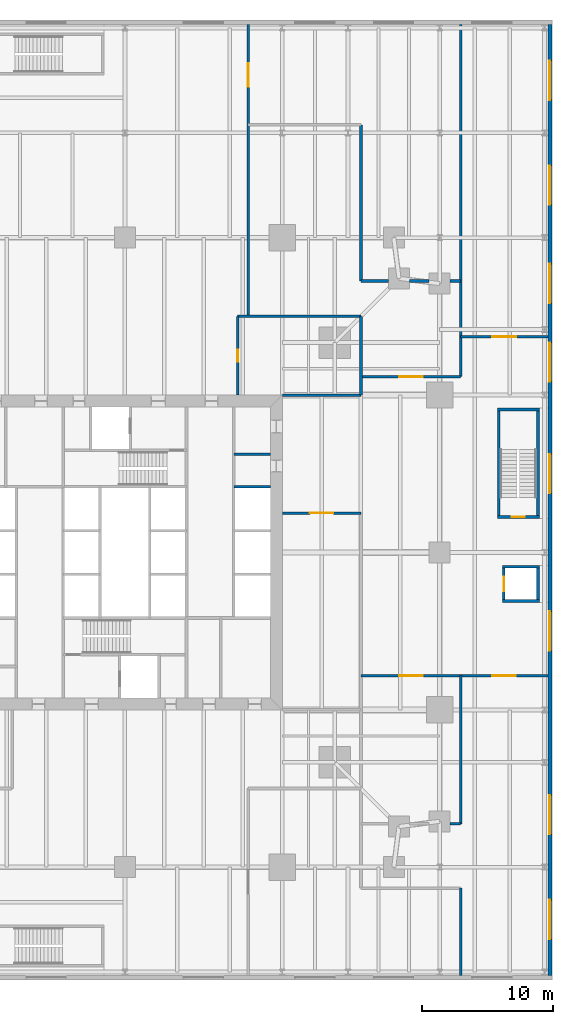
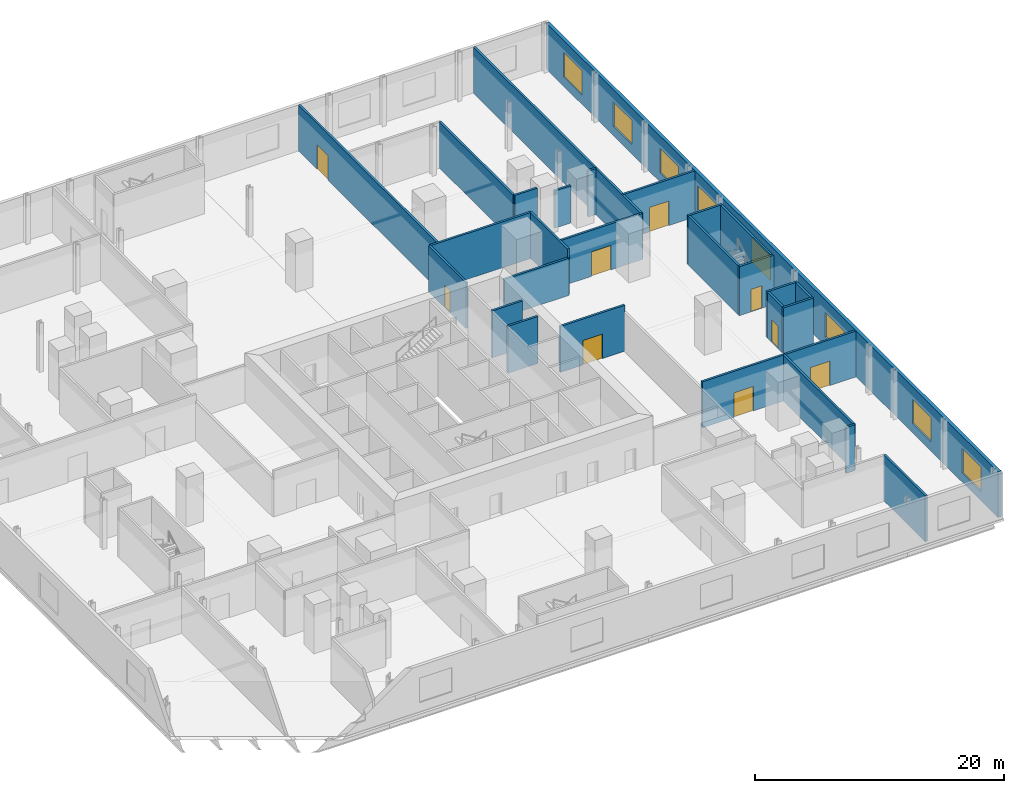
# One storey, part 12 of 16: 28 walls, 9 doors, 8 windows, 17 openings.
"""IFC4 building model written with IfcOpenShell, lengths in metres."""

from ifc_helpers import new_model, si_unit, direction, frame, frame_2d, origin, place, context, subcontext, project, spatial, rectangle, extrude, material, layer, layer_set, type_object, element, fill, save


model = new_model("IFC4")

# Units and contexts
model_context = context("Model", 3, precision=1e-05, world=origin(), true_north=direction((0.0, 1.0)))
body_context = subcontext(model_context, "Body", "Model", "MODEL_VIEW")
ifc_project = project(units=[si_unit("LENGTHUNIT", "METRE"), si_unit("AREAUNIT", "SQUARE_METRE"), si_unit("VOLUMEUNIT", "CUBIC_METRE"), si_unit("PLANEANGLEUNIT", "RADIAN"), si_unit("MASSUNIT", "GRAM", prefix="KILO")], contexts=[model_context])

# Site, building, storey
site_placement = place(None, origin())
site = spatial("IfcSite", under=ifc_project, at=site_placement, CompositionType="ELEMENT")
building_placement = place(site_placement, origin())
building = spatial("IfcBuilding", under=site, at=building_placement, Name="Fenwick Lantern Interchange", CompositionType="ELEMENT")
storey_placement = place(building_placement, frame((0.0, 0.0, 16.60009765625)))
storey = spatial("IfcBuildingStorey", under=building, at=storey_placement, Name="L03", CompositionType="ELEMENT", Elevation=16.60009765625)

# Walls
ifc_material_1 = material(Name="Concrete masonry ASTM C90 Grade N", Category="masonry")
ifc_layer_1 = layer(ifc_material_1, 0.199951171875)
ifc_layer_set_1 = layer_set([ifc_layer_1], Name="Concrete masonry ASTM C90 Grade N")
wall_type_1 = type_object("IfcWallType", Name="CORE PARTITION 200", PredefinedType="PARTITIONING", material=ifc_layer_set_1)
for number, where, z_axis, x_axis, name in (
    (1, (36.10009765625, 30.0, 0.0), (0.0, 0.0, 1.0), (-1.0, 0.0, 0.0), "L03/W/COREN/c2"),
    (2, (36.10009765625, 32.5, 0.0), (0.0, 0.0, 1.0), (-1.0, 0.0, 0.0), "L03/W/COREN/p1"),
):
    element("IfcWall", number, at=place(storey_placement, frame(where, z_axis=z_axis, x_axis=x_axis)), inside=storey, type_object=wall_type_1, Name=name, PredefinedType="PARTITIONING", context=body_context, shape_type="SweptSolid", body=[
        extrude(rectangle(XDim=2.800048828125, YDim=0.199951171875, at=frame_2d((1.39990234375, 0.0))), origin(), (0.0, 0.0, 1.0), 4.599853515625),
    ])
ifc_layer_2 = layer(ifc_material_1, 0.199951171875)
ifc_layer_set_2 = layer_set([ifc_layer_2], Name="Concrete masonry ASTM C90 Grade N")
wall_type_2 = type_object("IfcWallType", Name="LIFT SHAFT WALL 200", PredefinedType="PARTITIONING", material=ifc_layer_set_2)
wall_1_placement = place(storey_placement, frame((53.800048828125, 21.300048828125, 0.0), z_axis=(0.0, 0.0, 1.0), x_axis=(1.0, 0.0, 0.0)))
element("IfcWall", 3, at=wall_1_placement, inside=storey, type_object=wall_type_2, Name="L03/W/PL2/S", PredefinedType="PARTITIONING", context=body_context, shape_type="SweptSolid", body=[
    extrude(rectangle(XDim=2.800048828125, YDim=0.199951171875, at=frame_2d((1.39990234375, 0.0))), origin(), (0.0, 0.0, 1.0), 4.5),
])
wall_2_placement = place(storey_placement, frame((56.5, 21.39990234375, 0.0), z_axis=(0.0, 0.0, 1.0), x_axis=(0.0, 1.0, 0.0)))
element("IfcWall", 4, at=wall_2_placement, inside=storey, type_object=wall_type_2, Name="L03/W/PL2/E", PredefinedType="PARTITIONING", context=body_context, shape_type="SweptSolid", body=[
    extrude(rectangle(XDim=2.400146484375, YDim=0.199951171875, at=frame_2d((1.2001953125, 0.0))), origin(), (0.0, 0.0, 1.0), 4.5),
])
wall_3_placement = place(storey_placement, frame((56.60009765625, 23.89990234375, 0.0), z_axis=(0.0, 0.0, 1.0), x_axis=(-1.0, 0.0, 0.0)))
element("IfcWall", 5, at=wall_3_placement, inside=storey, type_object=wall_type_2, Name="L03/W/PL2/N", PredefinedType="PARTITIONING", context=body_context, shape_type="SweptSolid", body=[
    extrude(rectangle(XDim=2.800048828125, YDim=0.199951171875, at=frame_2d((1.39990234375, 0.0))), origin(), (0.0, 0.0, 1.0), 4.5),
])

# Wall, opening, door
wall_4_placement = place(storey_placement, frame((53.89990234375, 23.800048828125, 0.0), z_axis=(0.0, 0.0, 1.0), x_axis=(0.0, -1.0, 0.0)))
wall_4 = element("IfcWall", 6, at=wall_4_placement, inside=storey, type_object=wall_type_2, Name="L03/W/PL2/W", PredefinedType="PARTITIONING", context=body_context, shape_type="SweptSolid", body=[
    extrude(rectangle(XDim=2.400146484375, YDim=0.199951171875, at=frame_2d((1.2001953125, 0.0))), origin(), (0.0, 0.0, 1.0), 4.5),
])
opening_1_placement = place(wall_4_placement, frame((0.64990234375, 0.0, 0.0)))
opening_1 = element("IfcOpeningElement", 7, at=opening_1_placement, cuts=wall_4, Name="Opening LD-PL2", PredefinedType="OPENING", context=body_context, shape_type="SweptSolid", body=[
    extrude(rectangle(XDim=1.10009765625, YDim=2.199951171875, at=frame_2d((0.550048828125, 1.10009765625))), frame((0.0, 0.10986328125, 0.0), z_axis=(0.0, -1.0, 0.0), x_axis=(1.0, 0.0, 0.0)), (0.0, 0.0, 1.0), 0.219970703125),
])
ifc_material_2 = material(Name="Steel door and frame", Category="steel")
door_type_1 = type_object("IfcDoorType", Name="LIFT LANDING DOOR 1100 X 2200", OperationType="DOUBLE_DOOR_SLIDING", PredefinedType="DOOR", material=ifc_material_2)
door_1_placement = place(opening_1_placement, origin())
door_1 = element("IfcDoor", 8, at=door_1_placement, inside=storey, type_object=door_type_1, Name="Lift landing door PL2", OperationType="DOUBLE_DOOR_SLIDING", OverallHeight=2.199951171875, OverallWidth=1.10009765625, PredefinedType="DOOR", context=body_context, shape_type="SweptSolid", body=[
    extrude(rectangle(XDim=1.10009765625, YDim=2.199951171875, at=frame_2d((0.550048828125, 1.10009765625))), frame((0.0, 0.02490234375, 0.0), z_axis=(0.0, -1.0, 0.0), x_axis=(1.0, 0.0, 0.0)), (0.0, 0.0, 1.0), 0.050048828125),
])
fill(opening_1, door_1)

# Wall, openings, windows
ifc_material_3 = material(Name="Limestone ASTM C568 Classification II", Category="masonry")
ifc_layer_3 = layer(ifc_material_3, 0.074951171875)
ifc_material_4 = material(Name="Mineral wool insulation")
ifc_layer_4 = layer(ifc_material_4, 0.125)
ifc_material_5 = material(Name="Cold-formed galvanised steel studs", Category="steel")
ifc_layer_5 = layer(ifc_material_5, 0.10009765625)
ifc_layer_set_3 = layer_set([ifc_layer_3, ifc_layer_4, ifc_layer_5], Name="Limestone ASTM C568 Classification II")
wall_type_3 = type_object("IfcWallType", Name="LIMESTONE RAINSCREEN WALL 300", PredefinedType="SOLIDWALL", material=ifc_layer_set_3)
wall_5_placement = place(storey_placement, frame((57.39990234375, -7.25, 0.0), z_axis=(0.0, 0.0, 1.0), x_axis=(0.0, 1.0, 0.0)))
wall_5 = element("IfcWall", 9, at=wall_5_placement, inside=storey, type_object=wall_type_3, Name="L03/EW/E", PredefinedType="SOLIDWALL", context=body_context, shape_type="SweptSolid", body=[
    extrude(rectangle(XDim=72.5, YDim=0.300048828125, at=frame_2d((36.25, 0.0))), origin(), (0.0, 0.0, 1.0), 4.5),
])
opening_2_placement = place(wall_5_placement, frame((2.75, 0.0, 0.89990234375)))
opening_2 = element("IfcOpeningElement", 10, at=opening_2_placement, cuts=wall_5, Name="Opening W1", PredefinedType="OPENING", context=body_context, shape_type="SweptSolid", body=[
    extrude(rectangle(XDim=3.0, YDim=2.39990234375, at=frame_2d((1.5, 1.199951171875))), frame((0.0, 0.159912109375, 0.0), z_axis=(0.0, -1.0, 0.0), x_axis=(1.0, 0.0, 0.0)), (0.0, 0.0, 1.0), 0.320068359375),
])
opening_3_placement = place(wall_5_placement, frame((10.75, 0.0, 0.89990234375)))
opening_3 = element("IfcOpeningElement", 11, at=opening_3_placement, cuts=wall_5, Name="Opening W1", PredefinedType="OPENING", context=body_context, shape_type="SweptSolid", body=[
    extrude(rectangle(XDim=3.0, YDim=2.39990234375, at=frame_2d((1.5, 1.199951171875))), frame((0.0, 0.159912109375, 0.0), z_axis=(0.0, -1.0, 0.0), x_axis=(1.0, 0.0, 0.0)), (0.0, 0.0, 1.0), 0.320068359375),
])
opening_4_placement = place(wall_5_placement, frame((24.75, 0.0, 0.89990234375)))
opening_4 = element("IfcOpeningElement", 12, at=opening_4_placement, cuts=wall_5, Name="Opening W1", PredefinedType="OPENING", context=body_context, shape_type="SweptSolid", body=[
    extrude(rectangle(XDim=3.0, YDim=2.39990234375, at=frame_2d((1.5, 1.199951171875))), frame((0.0, 0.159912109375, 0.0), z_axis=(0.0, -1.0, 0.0), x_axis=(1.0, 0.0, 0.0)), (0.0, 0.0, 1.0), 0.320068359375),
])
opening_5_placement = place(wall_5_placement, frame((36.75, 0.0, 0.89990234375)))
opening_5 = element("IfcOpeningElement", 13, at=opening_5_placement, cuts=wall_5, Name="Opening W1", PredefinedType="OPENING", context=body_context, shape_type="SweptSolid", body=[
    extrude(rectangle(XDim=3.0, YDim=2.39990234375, at=frame_2d((1.5, 1.199951171875))), frame((0.0, 0.159912109375, 0.0), z_axis=(0.0, -1.0, 0.0), x_axis=(1.0, 0.0, 0.0)), (0.0, 0.0, 1.0), 0.320068359375),
])
opening_6_placement = place(wall_5_placement, frame((45.25, 0.0, 0.89990234375)))
opening_6 = element("IfcOpeningElement", 14, at=opening_6_placement, cuts=wall_5, Name="Opening W1", PredefinedType="OPENING", context=body_context, shape_type="SweptSolid", body=[
    extrude(rectangle(XDim=3.0, YDim=2.39990234375, at=frame_2d((1.5, 1.199951171875))), frame((0.0, 0.159912109375, 0.0), z_axis=(0.0, -1.0, 0.0), x_axis=(1.0, 0.0, 0.0)), (0.0, 0.0, 1.0), 0.320068359375),
])
opening_7_placement = place(wall_5_placement, frame((51.25, 0.0, 0.89990234375)))
opening_7 = element("IfcOpeningElement", 15, at=opening_7_placement, cuts=wall_5, Name="Opening W1", PredefinedType="OPENING", context=body_context, shape_type="SweptSolid", body=[
    extrude(rectangle(XDim=3.0, YDim=2.39990234375, at=frame_2d((1.5, 1.199951171875))), frame((0.0, 0.159912109375, 0.0), z_axis=(0.0, -1.0, 0.0), x_axis=(1.0, 0.0, 0.0)), (0.0, 0.0, 1.0), 0.320068359375),
])
opening_8_placement = place(wall_5_placement, frame((58.75, 0.0, 0.89990234375)))
opening_8 = element("IfcOpeningElement", 16, at=opening_8_placement, cuts=wall_5, Name="Opening W1", PredefinedType="OPENING", context=body_context, shape_type="SweptSolid", body=[
    extrude(rectangle(XDim=3.0, YDim=2.39990234375, at=frame_2d((1.5, 1.199951171875))), frame((0.0, 0.159912109375, 0.0), z_axis=(0.0, -1.0, 0.0), x_axis=(1.0, 0.0, 0.0)), (0.0, 0.0, 1.0), 0.320068359375),
])
opening_9_placement = place(wall_5_placement, frame((66.75, 0.0, 0.89990234375)))
opening_9 = element("IfcOpeningElement", 17, at=opening_9_placement, cuts=wall_5, Name="Opening W1", PredefinedType="OPENING", context=body_context, shape_type="SweptSolid", body=[
    extrude(rectangle(XDim=3.0, YDim=2.39990234375, at=frame_2d((1.5, 1.199951171875))), frame((0.0, 0.159912109375, 0.0), z_axis=(0.0, -1.0, 0.0), x_axis=(1.0, 0.0, 0.0)), (0.0, 0.0, 1.0), 0.320068359375),
])
ifc_material_6 = material(Name="Aluminium window, clear glass", Category="aluminium")
window_type = type_object("IfcWindowType", Name="PODIUM WINDOW 3000 X 2400", PartitioningType="SINGLE_PANEL", PredefinedType="WINDOW", material=ifc_material_6)
window_1_placement = place(opening_2_placement, origin())
window_1 = element("IfcWindow", 18, at=window_1_placement, inside=storey, type_object=window_type, Name="Podium window", OverallHeight=2.39990234375, OverallWidth=3.0, PartitioningType="SINGLE_PANEL", PredefinedType="WINDOW", context=body_context, shape_type="SweptSolid", body=[
    extrude(rectangle(XDim=3.0, YDim=2.39990234375, at=frame_2d((1.5, 1.199951171875))), frame((0.0, 0.030029296875, 0.0), z_axis=(0.0, -1.0, 0.0), x_axis=(1.0, 0.0, 0.0)), (0.0, 0.0, 1.0), 0.06005859375),
])
fill(opening_2, window_1)
window_2_placement = place(opening_3_placement, origin())
window_2 = element("IfcWindow", 19, at=window_2_placement, inside=storey, type_object=window_type, Name="Podium window", OverallHeight=2.39990234375, OverallWidth=3.0, PartitioningType="SINGLE_PANEL", PredefinedType="WINDOW", context=body_context, shape_type="SweptSolid", body=[
    extrude(rectangle(XDim=3.0, YDim=2.39990234375, at=frame_2d((1.5, 1.199951171875))), frame((0.0, 0.030029296875, 0.0), z_axis=(0.0, -1.0, 0.0), x_axis=(1.0, 0.0, 0.0)), (0.0, 0.0, 1.0), 0.06005859375),
])
fill(opening_3, window_2)
window_3_placement = place(opening_4_placement, origin())
window_3 = element("IfcWindow", 20, at=window_3_placement, inside=storey, type_object=window_type, Name="Podium window", OverallHeight=2.39990234375, OverallWidth=3.0, PartitioningType="SINGLE_PANEL", PredefinedType="WINDOW", context=body_context, shape_type="SweptSolid", body=[
    extrude(rectangle(XDim=3.0, YDim=2.39990234375, at=frame_2d((1.5, 1.199951171875))), frame((0.0, 0.030029296875, 0.0), z_axis=(0.0, -1.0, 0.0), x_axis=(1.0, 0.0, 0.0)), (0.0, 0.0, 1.0), 0.06005859375),
])
fill(opening_4, window_3)
window_4_placement = place(opening_5_placement, origin())
window_4 = element("IfcWindow", 21, at=window_4_placement, inside=storey, type_object=window_type, Name="Podium window", OverallHeight=2.39990234375, OverallWidth=3.0, PartitioningType="SINGLE_PANEL", PredefinedType="WINDOW", context=body_context, shape_type="SweptSolid", body=[
    extrude(rectangle(XDim=3.0, YDim=2.39990234375, at=frame_2d((1.5, 1.199951171875))), frame((0.0, 0.030029296875, 0.0), z_axis=(0.0, -1.0, 0.0), x_axis=(1.0, 0.0, 0.0)), (0.0, 0.0, 1.0), 0.06005859375),
])
fill(opening_5, window_4)
window_5_placement = place(opening_6_placement, origin())
window_5 = element("IfcWindow", 22, at=window_5_placement, inside=storey, type_object=window_type, Name="Podium window", OverallHeight=2.39990234375, OverallWidth=3.0, PartitioningType="SINGLE_PANEL", PredefinedType="WINDOW", context=body_context, shape_type="SweptSolid", body=[
    extrude(rectangle(XDim=3.0, YDim=2.39990234375, at=frame_2d((1.5, 1.199951171875))), frame((0.0, 0.030029296875, 0.0), z_axis=(0.0, -1.0, 0.0), x_axis=(1.0, 0.0, 0.0)), (0.0, 0.0, 1.0), 0.06005859375),
])
fill(opening_6, window_5)
window_6_placement = place(opening_7_placement, origin())
window_6 = element("IfcWindow", 23, at=window_6_placement, inside=storey, type_object=window_type, Name="Podium window", OverallHeight=2.39990234375, OverallWidth=3.0, PartitioningType="SINGLE_PANEL", PredefinedType="WINDOW", context=body_context, shape_type="SweptSolid", body=[
    extrude(rectangle(XDim=3.0, YDim=2.39990234375, at=frame_2d((1.5, 1.199951171875))), frame((0.0, 0.030029296875, 0.0), z_axis=(0.0, -1.0, 0.0), x_axis=(1.0, 0.0, 0.0)), (0.0, 0.0, 1.0), 0.06005859375),
])
fill(opening_7, window_6)
window_7_placement = place(opening_8_placement, origin())
window_7 = element("IfcWindow", 24, at=window_7_placement, inside=storey, type_object=window_type, Name="Podium window", OverallHeight=2.39990234375, OverallWidth=3.0, PartitioningType="SINGLE_PANEL", PredefinedType="WINDOW", context=body_context, shape_type="SweptSolid", body=[
    extrude(rectangle(XDim=3.0, YDim=2.39990234375, at=frame_2d((1.5, 1.199951171875))), frame((0.0, 0.030029296875, 0.0), z_axis=(0.0, -1.0, 0.0), x_axis=(1.0, 0.0, 0.0)), (0.0, 0.0, 1.0), 0.06005859375),
])
fill(opening_8, window_7)
window_8_placement = place(opening_9_placement, origin())
window_8 = element("IfcWindow", 25, at=window_8_placement, inside=storey, type_object=window_type, Name="Podium window", OverallHeight=2.39990234375, OverallWidth=3.0, PartitioningType="SINGLE_PANEL", PredefinedType="WINDOW", context=body_context, shape_type="SweptSolid", body=[
    extrude(rectangle(XDim=3.0, YDim=2.39990234375, at=frame_2d((1.5, 1.199951171875))), frame((0.0, 0.030029296875, 0.0), z_axis=(0.0, -1.0, 0.0), x_axis=(1.0, 0.0, 0.0)), (0.0, 0.0, 1.0), 0.06005859375),
])
fill(opening_9, window_8)

# Wall, opening, door
ifc_material_7 = material(Name="Gypsum board on steel studs, 1 hour", Category="steel")
ifc_layer_6 = layer(ifc_material_7, 0.199951171875)
ifc_layer_set_4 = layer_set([ifc_layer_6], Name="ROOM WALL 200")
wall_type_4 = type_object("IfcWallType", Name="ROOM WALL 200", PredefinedType="PARTITIONING", material=ifc_layer_set_4)
wall_6_placement = place(storey_placement, frame((33.60009765625, 37.0, 0.0), z_axis=(0.0, 0.0, 1.0), x_axis=(0.0, 1.0, 0.0)))
wall_6 = element("IfcWall", 26, at=wall_6_placement, inside=storey, type_object=wall_type_4, Name="L03/W/POD/X33.6-1", PredefinedType="PARTITIONING", context=body_context, shape_type="SweptSolid", body=[
    extrude(rectangle(XDim=6.0, YDim=0.199951171875, at=frame_2d((3.0, 0.0))), origin(), (0.0, 0.0, 1.0), 4.5),
])
opening_10_placement = place(wall_6_placement, frame((2.550048828125, 0.0, 0.0)))
opening_10 = element("IfcOpeningElement", 27, at=opening_10_placement, cuts=wall_6, Name="Opening L03-D039", PredefinedType="OPENING", context=body_context, shape_type="SweptSolid", body=[
    extrude(rectangle(XDim=0.89990234375, YDim=2.199951171875, at=frame_2d((0.449951171875, 1.10009765625))), frame((0.0, 0.10986328125, 0.0), z_axis=(0.0, -1.0, 0.0), x_axis=(1.0, 0.0, 0.0)), (0.0, 0.0, 1.0), 0.219970703125),
])
ifc_material_8 = material(Name="Hardwood door and steel frame", Category="steel")
door_type_2 = type_object("IfcDoorType", Name="OFFICE DOOR 900 X 2200", OperationType="SINGLE_SWING_LEFT", PredefinedType="DOOR", material=ifc_material_8)
door_2_placement = place(opening_10_placement, frame((0.89990234375, 0.0, 0.0), z_axis=(0.0, 0.0, 1.0), x_axis=(-1.0, 0.0, 0.0)))
door_2 = element("IfcDoor", 28, at=door_2_placement, inside=storey, type_object=door_type_2, Name="Office door", OperationType="SINGLE_SWING_LEFT", OverallHeight=2.199951171875, OverallWidth=0.89990234375, PredefinedType="DOOR", context=body_context, shape_type="SweptSolid", body=[
    extrude(rectangle(XDim=0.89990234375, YDim=2.199951171875, at=frame_2d((0.449951171875, 1.10009765625))), frame((0.0, 0.02490234375, 0.0), z_axis=(0.0, -1.0, 0.0), x_axis=(1.0, 0.0, 0.0)), (0.0, 0.0, 1.0), 0.050048828125),
])
fill(opening_10, door_2)

wall_7_placement = place(storey_placement, frame((34.39990234375, 43.0, 0.0), z_axis=(0.0, 0.0, 1.0), x_axis=(0.0, 1.0, 0.0)))
wall_7 = element("IfcWall", 29, at=wall_7_placement, inside=storey, type_object=wall_type_4, Name="L03/W/POD/X34.4-2", PredefinedType="PARTITIONING", context=body_context, shape_type="SweptSolid", body=[
    extrude(rectangle(XDim=22.25, YDim=0.199951171875, at=frame_2d((11.125, 0.0))), origin(), (0.0, 0.0, 1.0), 4.5),
])
opening_11_placement = place(wall_7_placement, frame((17.5, 0.0, 0.0)))
opening_11 = element("IfcOpeningElement", 30, at=opening_11_placement, cuts=wall_7, Name="Opening L03-D030", PredefinedType="OPENING", context=body_context, shape_type="SweptSolid", body=[
    extrude(rectangle(XDim=1.800048828125, YDim=2.39990234375, at=frame_2d((0.89990234375, 1.199951171875))), frame((0.0, 0.10986328125, 0.0), z_axis=(0.0, -1.0, 0.0), x_axis=(1.0, 0.0, 0.0)), (0.0, 0.0, 1.0), 0.219970703125),
])
door_type_3 = type_object("IfcDoorType", Name="ROOM DOOR PAIR 1800 X 2400", OperationType="DOUBLE_DOOR_SINGLE_SWING", PredefinedType="DOOR", material=ifc_material_2)
door_3_placement = place(opening_11_placement, origin())
door_3 = element("IfcDoor", 31, at=door_3_placement, inside=storey, type_object=door_type_3, Name="Room door pair", OperationType="DOUBLE_DOOR_SINGLE_SWING", OverallHeight=2.39990234375, OverallWidth=1.800048828125, PredefinedType="DOOR", context=body_context, shape_type="SweptSolid", body=[
    extrude(rectangle(XDim=1.800048828125, YDim=2.39990234375, at=frame_2d((0.89990234375, 1.199951171875))), frame((0.0, 0.02490234375, 0.0), z_axis=(0.0, -1.0, 0.0), x_axis=(1.0, 0.0, 0.0)), (0.0, 0.0, 1.0), 0.050048828125),
])
fill(opening_11, door_3)

# Walls
wall_8_placement = place(storey_placement, frame((43.0, 37.0, 0.0), z_axis=(0.0, 0.0, 1.0), x_axis=(0.0, 1.0, 0.0)))
element("IfcWall", 32, at=wall_8_placement, inside=storey, type_object=wall_type_4, Name="L03/W/POD/X43-2", PredefinedType="PARTITIONING", context=body_context, shape_type="SweptSolid", body=[
    extrude(rectangle(XDim=6.0, YDim=0.199951171875, at=frame_2d((3.0, 0.0))), origin(), (0.0, 0.0, 1.0), 4.5),
])
wall_9_placement = place(storey_placement, frame((43.0, 45.699951171875, 0.0), z_axis=(0.0, 0.0, 1.0), x_axis=(0.0, 1.0, 0.0)))
element("IfcWall", 33, at=wall_9_placement, inside=storey, type_object=wall_type_4, Name="L03/W/POD/X43-3", PredefinedType="PARTITIONING", context=body_context, shape_type="SweptSolid", body=[
    extrude(rectangle(XDim=11.900146484375, YDim=0.199951171875, at=frame_2d((5.9501953125, 0.0))), origin(), (0.0, 0.0, 1.0), 4.5),
])
wall_10_placement = place(storey_placement, frame((50.60009765625, -7.25, 0.0), z_axis=(0.0, 0.0, 1.0), x_axis=(0.0, 1.0, 0.0)))
element("IfcWall", 34, at=wall_10_placement, inside=storey, type_object=wall_type_4, Name="L03/W/POD/X50.6-1", PredefinedType="PARTITIONING", context=body_context, shape_type="SweptSolid", body=[
    extrude(rectangle(XDim=6.64990234375, YDim=0.199951171875, at=frame_2d((3.324951171875, 0.0))), origin(), (0.0, 0.0, 1.0), 4.5),
])
wall_11_placement = place(storey_placement, frame((50.60009765625, 4.300048828125, 0.0), z_axis=(0.0, 0.0, 1.0), x_axis=(0.0, 1.0, 0.0)))
element("IfcWall", 35, at=wall_11_placement, inside=storey, type_object=wall_type_4, Name="L03/W/POD/X50.6-2", PredefinedType="PARTITIONING", context=body_context, shape_type="SweptSolid", body=[
    extrude(rectangle(XDim=11.300048828125, YDim=0.199951171875, at=frame_2d((5.64990234375, 0.0))), origin(), (0.0, 0.0, 1.0), 4.5),
])
wall_12_placement = place(storey_placement, frame((50.60009765625, 38.39990234375, 0.0), z_axis=(0.0, 0.0, 1.0), x_axis=(0.0, 1.0, 0.0)))
element("IfcWall", 36, at=wall_12_placement, inside=storey, type_object=wall_type_4, Name="L03/W/POD/X50.6-3", PredefinedType="PARTITIONING", context=body_context, shape_type="SweptSolid", body=[
    extrude(rectangle(XDim=26.85009765625, YDim=0.199951171875, at=frame_2d((13.425048828125, 0.0))), origin(), (0.0, 0.0, 1.0), 4.5),
])
wall_13_placement = place(storey_placement, frame((49.800048828125, 4.300048828125, 0.0), z_axis=(0.0, 0.0, 1.0), x_axis=(1.0, 0.0, 0.0)))
element("IfcWall", 37, at=wall_13_placement, inside=storey, type_object=wall_type_4, Name="L03/W/POD/Y4.3-3", PredefinedType="PARTITIONING", context=body_context, shape_type="SweptSolid", body=[
    extrude(rectangle(XDim=0.800048828125, YDim=0.199951171875, at=frame_2d((0.39990234375, 0.0))), origin(), (0.0, 0.0, 1.0), 4.5),
])

# Wall, openings, doors
wall_14_placement = place(storey_placement, frame((43.0, 15.60009765625, 0.0), z_axis=(0.0, 0.0, 1.0), x_axis=(1.0, 0.0, 0.0)))
wall_14 = element("IfcWall", 38, at=wall_14_placement, inside=storey, type_object=wall_type_4, Name="L03/W/POD/Y15.6-1", PredefinedType="PARTITIONING", context=body_context, shape_type="SweptSolid", body=[
    extrude(rectangle(XDim=14.25, YDim=0.199951171875, at=frame_2d((7.125, 0.0))), origin(), (0.0, 0.0, 1.0), 4.5),
])
opening_12_placement = place(wall_14_placement, frame((10.0, 0.0, 0.0)))
opening_12 = element("IfcOpeningElement", 39, at=opening_12_placement, cuts=wall_14, Name="Opening L03-D026", PredefinedType="OPENING", context=body_context, shape_type="SweptSolid", body=[
    extrude(rectangle(XDim=1.800048828125, YDim=2.39990234375, at=frame_2d((0.89990234375, 1.199951171875))), frame((0.0, 0.10986328125, 0.0), z_axis=(0.0, -1.0, 0.0), x_axis=(1.0, 0.0, 0.0)), (0.0, 0.0, 1.0), 0.219970703125),
])
opening_13_placement = place(wall_14_placement, frame((2.925048828125, 0.0, 0.0)))
opening_13 = element("IfcOpeningElement", 40, at=opening_13_placement, cuts=wall_14, Name="Opening L03-D027", PredefinedType="OPENING", context=body_context, shape_type="SweptSolid", body=[
    extrude(rectangle(XDim=1.800048828125, YDim=2.39990234375, at=frame_2d((0.89990234375, 1.199951171875))), frame((0.0, 0.10986328125, 0.0), z_axis=(0.0, -1.0, 0.0), x_axis=(1.0, 0.0, 0.0)), (0.0, 0.0, 1.0), 0.219970703125),
])
door_4_placement = place(opening_12_placement, origin())
door_4 = element("IfcDoor", 41, at=door_4_placement, inside=storey, type_object=door_type_3, Name="Room door pair", OperationType="DOUBLE_DOOR_SINGLE_SWING", OverallHeight=2.39990234375, OverallWidth=1.800048828125, PredefinedType="DOOR", context=body_context, shape_type="SweptSolid", body=[
    extrude(rectangle(XDim=1.800048828125, YDim=2.39990234375, at=frame_2d((0.89990234375, 1.199951171875))), frame((0.0, 0.02490234375, 0.0), z_axis=(0.0, -1.0, 0.0), x_axis=(1.0, 0.0, 0.0)), (0.0, 0.0, 1.0), 0.050048828125),
])
fill(opening_12, door_4)
door_5_placement = place(opening_13_placement, origin())
door_5 = element("IfcDoor", 42, at=door_5_placement, inside=storey, type_object=door_type_3, Name="Room door pair", OperationType="DOUBLE_DOOR_SINGLE_SWING", OverallHeight=2.39990234375, OverallWidth=1.800048828125, PredefinedType="DOOR", context=body_context, shape_type="SweptSolid", body=[
    extrude(rectangle(XDim=1.800048828125, YDim=2.39990234375, at=frame_2d((0.89990234375, 1.199951171875))), frame((0.0, 0.02490234375, 0.0), z_axis=(0.0, -1.0, 0.0), x_axis=(1.0, 0.0, 0.0)), (0.0, 0.0, 1.0), 0.050048828125),
])
fill(opening_13, door_5)

# Wall, opening, door
wall_15_placement = place(storey_placement, frame((37.0, 28.0, 0.0), z_axis=(0.0, 0.0, 1.0), x_axis=(1.0, 0.0, 0.0)))
wall_15 = element("IfcWall", 43, at=wall_15_placement, inside=storey, type_object=wall_type_4, Name="L03/W/POD/Y28-1", PredefinedType="PARTITIONING", context=body_context, shape_type="SweptSolid", body=[
    extrude(rectangle(XDim=6.0, YDim=0.199951171875, at=frame_2d((3.0, 0.0))), origin(), (0.0, 0.0, 1.0), 4.5),
])
opening_14_placement = place(wall_15_placement, frame((2.099853515625, 0.0, 0.0)))
opening_14 = element("IfcOpeningElement", 44, at=opening_14_placement, cuts=wall_15, Name="Opening L03-D037", PredefinedType="OPENING", context=body_context, shape_type="SweptSolid", body=[
    extrude(rectangle(XDim=1.800048828125, YDim=2.39990234375, at=frame_2d((0.89990234375, 1.199951171875))), frame((0.0, 0.10986328125, 0.0), z_axis=(0.0, -1.0, 0.0), x_axis=(1.0, 0.0, 0.0)), (0.0, 0.0, 1.0), 0.219970703125),
])
door_6_placement = place(opening_14_placement, origin())
door_6 = element("IfcDoor", 45, at=door_6_placement, inside=storey, type_object=door_type_3, Name="Room door pair", OperationType="DOUBLE_DOOR_SINGLE_SWING", OverallHeight=2.39990234375, OverallWidth=1.800048828125, PredefinedType="DOOR", context=body_context, shape_type="SweptSolid", body=[
    extrude(rectangle(XDim=1.800048828125, YDim=2.39990234375, at=frame_2d((0.89990234375, 1.199951171875))), frame((0.0, 0.02490234375, 0.0), z_axis=(0.0, -1.0, 0.0), x_axis=(1.0, 0.0, 0.0)), (0.0, 0.0, 1.0), 0.050048828125),
])
fill(opening_14, door_6)

# Wall
wall_16_placement = place(storey_placement, frame((37.0, 37.0, 0.0), z_axis=(0.0, 0.0, 1.0), x_axis=(1.0, 0.0, 0.0)))
element("IfcWall", 46, at=wall_16_placement, inside=storey, type_object=wall_type_4, Name="L03/W/POD/Y37-2", PredefinedType="PARTITIONING", context=body_context, shape_type="SweptSolid", body=[
    extrude(rectangle(XDim=6.0, YDim=0.199951171875, at=frame_2d((3.0, 0.0))), origin(), (0.0, 0.0, 1.0), 3.652587890625),
])

# Wall, opening, door
wall_17_placement = place(storey_placement, frame((43.0, 38.39990234375, 0.0), z_axis=(0.0, 0.0, 1.0), x_axis=(1.0, 0.0, 0.0)))
wall_17 = element("IfcWall", 47, at=wall_17_placement, inside=storey, type_object=wall_type_4, Name="L03/W/POD/Y38.4-1", PredefinedType="PARTITIONING", context=body_context, shape_type="SweptSolid", body=[
    extrude(rectangle(XDim=7.60009765625, YDim=0.199951171875, at=frame_2d((3.800048828125, 0.0))), origin(), (0.0, 0.0, 1.0), 4.5),
])
opening_15_placement = place(wall_17_placement, frame((2.89990234375, 0.0, 0.0)))
opening_15 = element("IfcOpeningElement", 48, at=opening_15_placement, cuts=wall_17, Name="Opening L03-D028", PredefinedType="OPENING", context=body_context, shape_type="SweptSolid", body=[
    extrude(rectangle(XDim=1.800048828125, YDim=2.39990234375, at=frame_2d((0.89990234375, 1.199951171875))), frame((0.0, 0.10986328125, 0.0), z_axis=(0.0, -1.0, 0.0), x_axis=(1.0, 0.0, 0.0)), (0.0, 0.0, 1.0), 0.219970703125),
])
door_7_placement = place(opening_15_placement, frame((1.800048828125, 0.0, 0.0), z_axis=(0.0, 0.0, 1.0), x_axis=(-1.0, 0.0, 0.0)))
door_7 = element("IfcDoor", 49, at=door_7_placement, inside=storey, type_object=door_type_3, Name="Room door pair", OperationType="DOUBLE_DOOR_SINGLE_SWING", OverallHeight=2.39990234375, OverallWidth=1.800048828125, PredefinedType="DOOR", context=body_context, shape_type="SweptSolid", body=[
    extrude(rectangle(XDim=1.800048828125, YDim=2.39990234375, at=frame_2d((0.89990234375, 1.199951171875))), frame((0.0, 0.02490234375, 0.0), z_axis=(0.0, -1.0, 0.0), x_axis=(1.0, 0.0, 0.0)), (0.0, 0.0, 1.0), 0.050048828125),
])
fill(opening_15, door_7)

wall_18_placement = place(storey_placement, frame((50.60009765625, 41.449951171875, 0.0), z_axis=(0.0, 0.0, 1.0), x_axis=(1.0, 0.0, 0.0)))
wall_18 = element("IfcWall", 50, at=wall_18_placement, inside=storey, type_object=wall_type_4, Name="L03/W/POD/Y41.45-1", PredefinedType="PARTITIONING", context=body_context, shape_type="SweptSolid", body=[
    extrude(rectangle(XDim=6.64990234375, YDim=0.199951171875, at=frame_2d((3.324951171875, 0.0))), origin(), (0.0, 0.0, 1.0), 4.5),
])
opening_16_placement = place(wall_18_placement, frame((2.425048828125, 0.0, 0.0)))
opening_16 = element("IfcOpeningElement", 51, at=opening_16_placement, cuts=wall_18, Name="Opening L03-D029", PredefinedType="OPENING", context=body_context, shape_type="SweptSolid", body=[
    extrude(rectangle(XDim=1.800048828125, YDim=2.39990234375, at=frame_2d((0.89990234375, 1.199951171875))), frame((0.0, 0.10986328125, 0.0), z_axis=(0.0, -1.0, 0.0), x_axis=(1.0, 0.0, 0.0)), (0.0, 0.0, 1.0), 0.219970703125),
])
door_8_placement = place(opening_16_placement, frame((1.800048828125, 0.0, 0.0), z_axis=(0.0, 0.0, 1.0), x_axis=(-1.0, 0.0, 0.0)))
door_8 = element("IfcDoor", 52, at=door_8_placement, inside=storey, type_object=door_type_3, Name="Room door pair", OperationType="DOUBLE_DOOR_SINGLE_SWING", OverallHeight=2.39990234375, OverallWidth=1.800048828125, PredefinedType="DOOR", context=body_context, shape_type="SweptSolid", body=[
    extrude(rectangle(XDim=1.800048828125, YDim=2.39990234375, at=frame_2d((0.89990234375, 1.199951171875))), frame((0.0, 0.02490234375, 0.0), z_axis=(0.0, -1.0, 0.0), x_axis=(1.0, 0.0, 0.0)), (0.0, 0.0, 1.0), 0.050048828125),
])
fill(opening_16, door_8)

# Walls
wall_19_placement = place(storey_placement, frame((33.60009765625, 43.0, 0.0), z_axis=(0.0, 0.0, 1.0), x_axis=(1.0, 0.0, 0.0)))
element("IfcWall", 53, at=wall_19_placement, inside=storey, type_object=wall_type_4, Name="L03/W/POD/Y43-2", PredefinedType="PARTITIONING", context=body_context, shape_type="SweptSolid", body=[
    extrude(rectangle(XDim=9.39990234375, YDim=0.199951171875, at=frame_2d((4.699951171875, 0.0))), origin(), (0.0, 0.0, 1.0), 4.5),
])
wall_20_placement = place(storey_placement, frame((43.0, 45.699951171875, 0.0), z_axis=(0.0, 0.0, 1.0), x_axis=(1.0, 0.0, 0.0)))
element("IfcWall", 54, at=wall_20_placement, inside=storey, type_object=wall_type_4, Name="L03/W/POD/Y45.7-1", PredefinedType="PARTITIONING", context=body_context, shape_type="SweptSolid", body=[
    extrude(rectangle(XDim=2.10009765625, YDim=0.199951171875, at=frame_2d((1.050048828125, 0.0))), origin(), (0.0, 0.0, 1.0), 4.5),
])
wall_21_placement = place(storey_placement, frame((46.699951171875, 45.699951171875, 0.0), z_axis=(0.0, 0.0, 1.0), x_axis=(1.0, 0.0, 0.0)))
element("IfcWall", 55, at=wall_21_placement, inside=storey, type_object=wall_type_4, Name="L03/W/POD/Y45.7-2", PredefinedType="PARTITIONING", context=body_context, shape_type="SweptSolid", body=[
    extrude(rectangle(XDim=1.5, YDim=0.199951171875, at=frame_2d((0.75, 0.0))), origin(), (0.0, 0.0, 1.0), 3.64990234375),
])
wall_22_placement = place(storey_placement, frame((49.800048828125, 45.699951171875, 0.0), z_axis=(0.0, 0.0, 1.0), x_axis=(1.0, 0.0, 0.0)))
element("IfcWall", 56, at=wall_22_placement, inside=storey, type_object=wall_type_4, Name="L03/W/POD/Y45.7-3", PredefinedType="PARTITIONING", context=body_context, shape_type="SweptSolid", body=[
    extrude(rectangle(XDim=0.800048828125, YDim=0.199951171875, at=frame_2d((0.39990234375, 0.0))), origin(), (0.0, 0.0, 1.0), 4.5),
])

# Wall, opening, door
ifc_material_9 = material(Name="Reinforced concrete masonry ASTM C90 Grade N", Category="masonry")
ifc_layer_7 = layer(ifc_material_9, 0.199951171875)
ifc_layer_set_5 = layer_set([ifc_layer_7], Name="Reinforced concrete masonry ASTM C90 Grade N")
wall_type_5 = type_object("IfcWallType", Name="STAIR ENCLOSURE 200", PredefinedType="SOLIDWALL", material=ifc_layer_set_5)
wall_23_placement = place(storey_placement, frame((53.39990234375, 27.699951171875, 0.0), z_axis=(0.0, 0.0, 1.0), x_axis=(1.0, 0.0, 0.0)))
wall_23 = element("IfcWall", 57, at=wall_23_placement, inside=storey, type_object=wall_type_5, Name="L03/W/PS4/S", PredefinedType="SOLIDWALL", context=body_context, shape_type="SweptSolid", body=[
    extrude(rectangle(XDim=3.2001953125, YDim=0.199951171875, at=frame_2d((1.60009765625, 0.0))), origin(), (0.0, 0.0, 1.0), 4.7998046875),
])
opening_17_placement = place(wall_23_placement, frame((1.10009765625, 0.0, 0.0)))
opening_17 = element("IfcOpeningElement", 58, at=opening_17_placement, cuts=wall_23, Name="Opening L03-D020", PredefinedType="OPENING", context=body_context, shape_type="SweptSolid", body=[
    extrude(rectangle(XDim=1.0, YDim=2.199951171875, at=frame_2d((0.5, 1.10009765625))), frame((0.0, 0.10986328125, 0.0), z_axis=(0.0, -1.0, 0.0), x_axis=(1.0, 0.0, 0.0)), (0.0, 0.0, 1.0), 0.219970703125),
])
door_type_4 = type_object("IfcDoorType", Name="STAIR DOOR 1000 X 2200", OperationType="SINGLE_SWING_LEFT", PredefinedType="DOOR", material=ifc_material_2)
door_9_placement = place(opening_17_placement, origin())
door_9 = element("IfcDoor", 59, at=door_9_placement, inside=storey, type_object=door_type_4, Name="Stair door", OperationType="SINGLE_SWING_LEFT", OverallHeight=2.199951171875, OverallWidth=1.0, PredefinedType="DOOR", context=body_context, shape_type="SweptSolid", body=[
    extrude(rectangle(XDim=1.0, YDim=2.199951171875, at=frame_2d((0.5, 1.10009765625))), frame((0.0, 0.02490234375, 0.0), z_axis=(0.0, -1.0, 0.0), x_axis=(1.0, 0.0, 0.0)), (0.0, 0.0, 1.0), 0.050048828125),
])
fill(opening_17, door_9)

# Walls
wall_24_placement = place(storey_placement, frame((56.5, 27.800048828125, 0.0), z_axis=(0.0, 0.0, 1.0), x_axis=(0.0, 1.0, 0.0)))
element("IfcWall", 60, at=wall_24_placement, inside=storey, type_object=wall_type_5, Name="L03/W/PS4/E", PredefinedType="SOLIDWALL", context=body_context, shape_type="SweptSolid", body=[
    extrude(rectangle(XDim=8.0, YDim=0.199951171875, at=frame_2d((4.0, 0.0))), origin(), (0.0, 0.0, 1.0), 4.7998046875),
])
wall_25_placement = place(storey_placement, frame((56.60009765625, 35.89990234375, 0.0), z_axis=(0.0, 0.0, 1.0), x_axis=(-1.0, 0.0, 0.0)))
element("IfcWall", 61, at=wall_25_placement, inside=storey, type_object=wall_type_5, Name="L03/W/PS4/N", PredefinedType="SOLIDWALL", context=body_context, shape_type="SweptSolid", body=[
    extrude(rectangle(XDim=3.2001953125, YDim=0.199951171875, at=frame_2d((1.60009765625, 0.0))), origin(), (0.0, 0.0, 1.0), 4.7998046875),
])
wall_26_placement = place(storey_placement, frame((53.5, 35.800048828125, 0.0), z_axis=(0.0, 0.0, 1.0), x_axis=(0.0, -1.0, 0.0)))
element("IfcWall", 62, at=wall_26_placement, inside=storey, type_object=wall_type_5, Name="L03/W/PS4/W", PredefinedType="SOLIDWALL", context=body_context, shape_type="SweptSolid", body=[
    extrude(rectangle(XDim=8.0, YDim=0.199951171875, at=frame_2d((4.0, 0.0))), origin(), (0.0, 0.0, 1.0), 4.7998046875),
])

save(model, "model.ifc")
